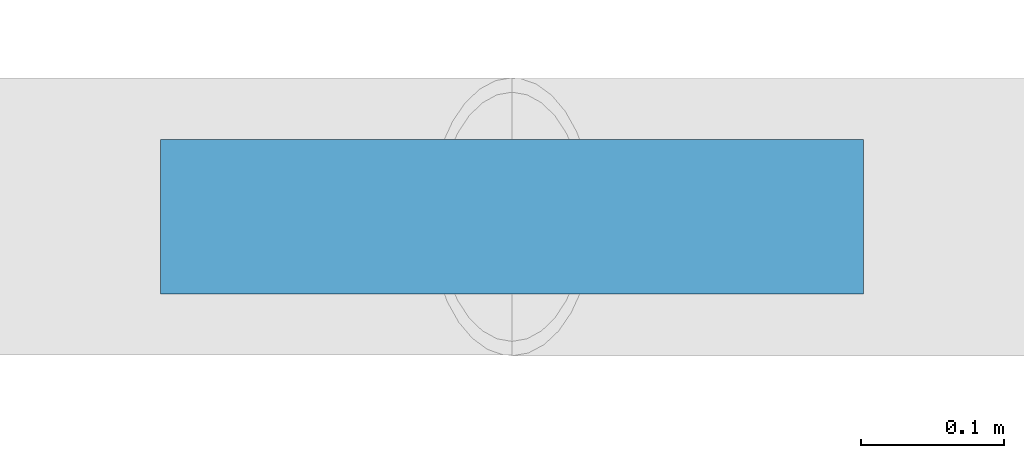
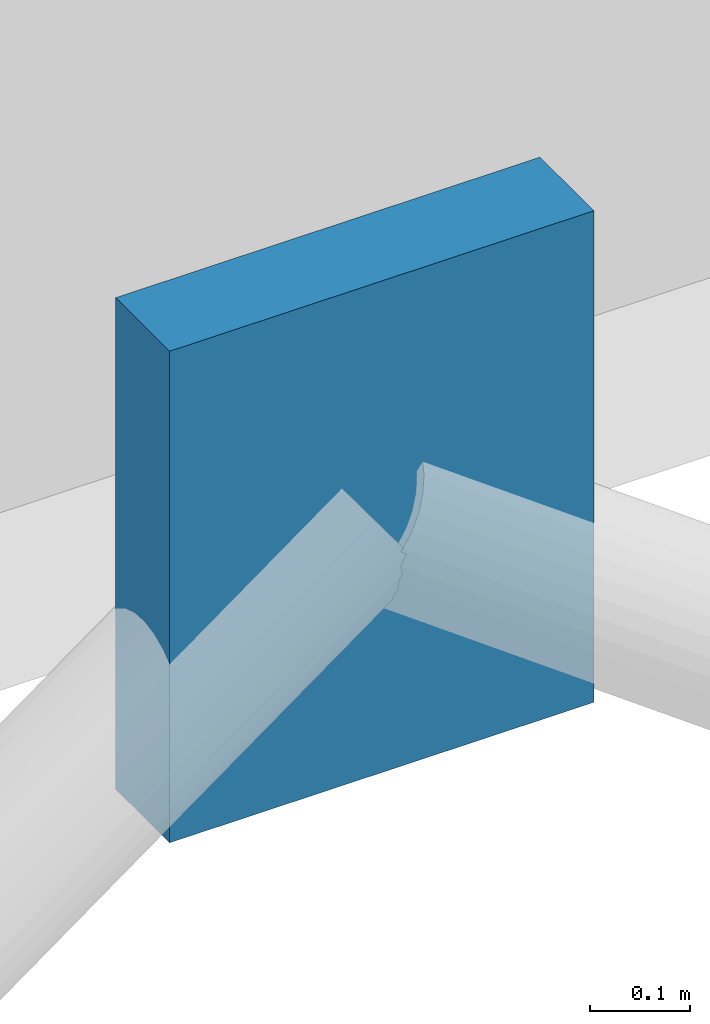
# One storey, part 37 of 61: 1 plate.
"""IFC4 building model written with IfcOpenShell, lengths in metres."""

from ifc_helpers import new_model, si_unit, direction, frame, origin, origin_2d, place, context, subcontext, project, spatial, rectangle, extrude, material, layer, layer_set, type_object, element, save


model = new_model("IFC4")

# Units and contexts
model_context = context("Model", 3, precision=1e-05, world=origin(), true_north=direction((0.0, 1.0)))
body_context = subcontext(model_context, "Body", "Model", "MODEL_VIEW")
ifc_project = project(units=[si_unit("LENGTHUNIT", "METRE"), si_unit("AREAUNIT", "SQUARE_METRE"), si_unit("VOLUMEUNIT", "CUBIC_METRE"), si_unit("PLANEANGLEUNIT", "RADIAN"), si_unit("MASSUNIT", "GRAM", prefix="KILO")], contexts=[model_context])

# Site, building, storey
site_placement = place(None, origin())
site = spatial("IfcSite", under=ifc_project, at=site_placement, CompositionType="ELEMENT")
building_placement = place(site_placement, origin())
building = spatial("IfcBuilding", under=site, at=building_placement, Name="Kolvemor Railside Polytechnic", CompositionType="ELEMENT")
storey_placement = place(building_placement, frame((0.0, 0.0, 10.199951171875)))
storey = spatial("IfcBuildingStorey", under=building, at=storey_placement, Name="L02", CompositionType="ELEMENT", Elevation=10.199951171875)

# Plate
ifc_material = material(Name="Steel S355", Category="steel")
ifc_layer = layer(ifc_material, 0.10791015625, Name="PLT-GUSSET-10")
ifc_layer_set = layer_set([ifc_layer], Name="Steel S355")
plate_type = type_object("IfcPlateType", Name="PLT-GUSSET-10", PredefinedType="USERDEFINED", material=ifc_layer_set)
plate_placement = place(storey_placement, frame((72.0, 0.0, 3.35009765625), z_axis=(0.0, 0.0, 1.0), x_axis=(1.0, 0.0, 0.0)))
element("IfcPlate", 1, at=plate_placement, inside=storey, type_object=plate_type, Name="Brace Chevron Gusset Plate GP-BR26", ObjectType="GUSSET PLATE", PredefinedType="USERDEFINED", context=body_context, shape_type="SweptSolid", body=[
    extrude(rectangle(XDim=0.489990234375, YDim=0.10791015625, at=origin_2d()), origin(), (0.0, 0.0, 1.0), 0.60009765625),
])

save(model, "model.ifc")
